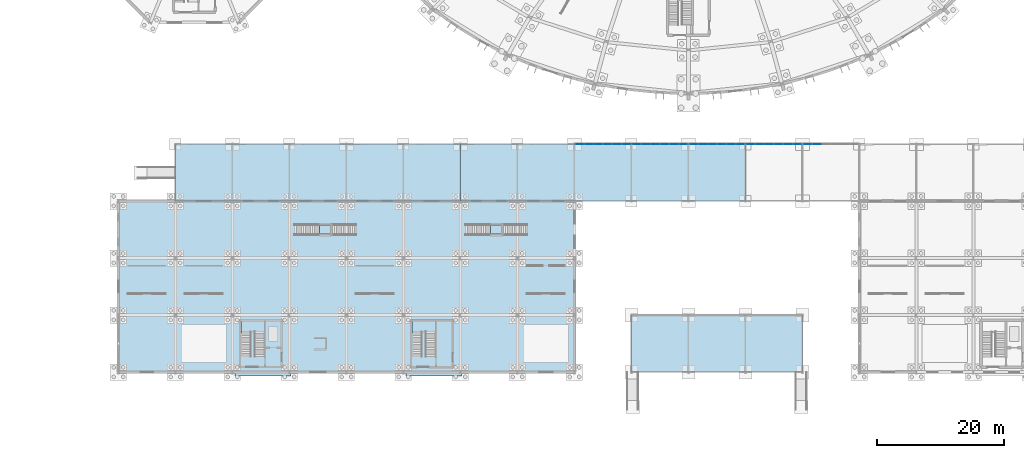
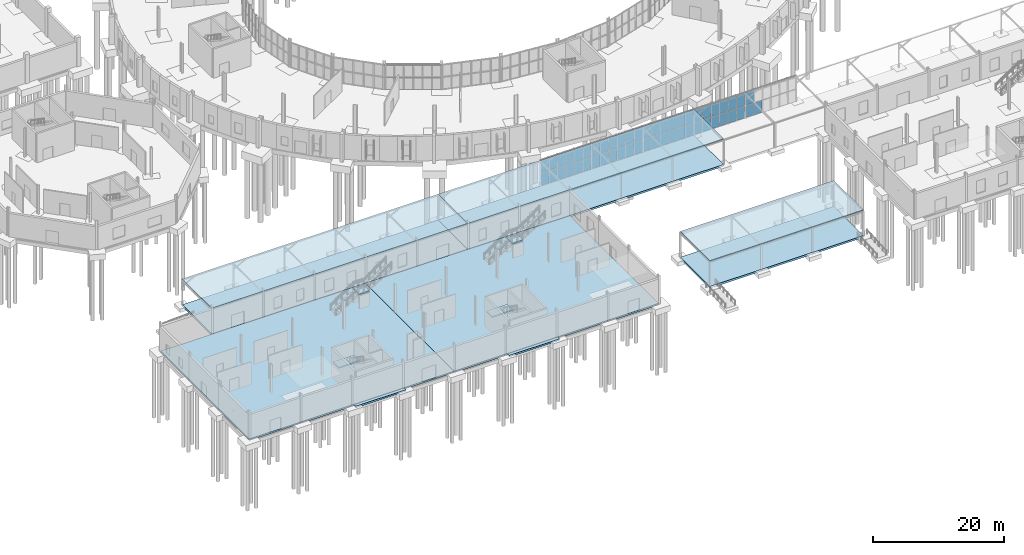
# One storey, part 69 of 118: 51 plates, 14 slabs, 9 elements without a shape of their own.
"""IFC4 building model written with IfcOpenShell, lengths in metres."""

from ifc_helpers import new_model, si_unit, direction, frame, origin, origin_2d, place, context, subcontext, project, spatial, polyline, rectangle, outline, extrude, material, layer, layer_set, type_object, element, aggregate, save


model = new_model("IFC4")

# Units and contexts
model_context = context("Model", 3, precision=1e-05, world=origin(), true_north=direction((0.0, 1.0)))
body_context = subcontext(model_context, "Body", "Model", "MODEL_VIEW")
ifc_project = project(units=[si_unit("LENGTHUNIT", "METRE"), si_unit("AREAUNIT", "SQUARE_METRE"), si_unit("VOLUMEUNIT", "CUBIC_METRE"), si_unit("PLANEANGLEUNIT", "RADIAN"), si_unit("MASSUNIT", "GRAM", prefix="KILO")], contexts=[model_context])

# Site, building, storey
site_placement = place(None, origin())
site = spatial("IfcSite", under=ifc_project, at=site_placement, CompositionType="ELEMENT")
building_placement = place(site_placement, origin())
building = spatial("IfcBuilding", under=site, at=building_placement, Name="Kildeholm Park Wholesale Market", CompositionType="ELEMENT")
storey_placement = place(building_placement, origin())
storey = spatial("IfcBuildingStorey", under=building, at=storey_placement, Name="L00", CompositionType="ELEMENT", Elevation=0.0)

# Curtain wall, plates
ifc_material_1 = material(Name="Anodised aluminium and low-E double-glazed glass", Category="aluminium")
curtain_wall_type = type_object("IfcCurtainWallType", Name="Public passage glazed screen CW-04", PredefinedType="NOTDEFINED", material=ifc_material_1)
curtain_wall_1_placement = place(storey_placement, origin())
curtain_wall_1 = element("IfcCurtainWall", 1, at=curtain_wall_1_placement, inside=storey, type_object=curtain_wall_type, Name="Curtain wall CW-V6-GC-01 CW-0159", PredefinedType="NOTDEFINED")
ifc_material_2 = material(Name="Double-glazed low-E insulated glass", Category="glass")
ifc_layer_1 = layer(ifc_material_2, 0.028076171875)
ifc_layer_set_1 = layer_set([ifc_layer_1], Name="Double-glazed low-E insulated glass")
plate_type = type_object("IfcPlateType", Name="Curtain-wall panel CWP-1 28 mm", PredefinedType="CURTAIN_PANEL", material=ifc_layer_set_1)
plate_1_placement = place(storey_placement, frame((81.79833984375, 36.0, 0.06005859375), z_axis=(0.0, 0.0, 1.0), x_axis=(1.0, 0.0, 0.0)))
plate_1 = element("IfcPlate", 2, at=plate_1_placement, type_object=plate_type, Name="CW-04 panel 1.1 PLT-2316", PredefinedType="CURTAIN_PANEL", context=body_context, shape_type="SweptSolid", body=[
    extrude(rectangle(XDim=1.396728515625, YDim=0.028076171875, at=origin_2d()), origin(), (0.0, 0.0, 1.0), 2.284912109375),
])
plate_2_placement = place(storey_placement, frame((81.79833984375, 36.0, 2.4052734375), z_axis=(0.0, 0.0, 1.0), x_axis=(1.0, 0.0, 0.0)))
plate_2 = element("IfcPlate", 3, at=plate_2_placement, type_object=plate_type, Name="CW-04 panel 1.2 PLT-2317", PredefinedType="CURTAIN_PANEL", context=body_context, shape_type="SweptSolid", body=[
    extrude(rectangle(XDim=1.396728515625, YDim=0.028076171875, at=origin_2d()), origin(), (0.0, 0.0, 1.0), 2.284912109375),
])
plate_3_placement = place(storey_placement, frame((83.27001953125, 36.0, 0.06005859375), z_axis=(0.0, 0.0, 1.0), x_axis=(1.0, 0.0, 0.0)))
plate_3 = element("IfcPlate", 4, at=plate_3_placement, type_object=plate_type, Name="CW-04 panel 2.1 PLT-2318", PredefinedType="CURTAIN_PANEL", context=body_context, shape_type="SweptSolid", body=[
    extrude(rectangle(XDim=1.4267578125, YDim=0.028076171875, at=origin_2d()), origin(), (0.0, 0.0, 1.0), 2.284912109375),
])
plate_4_placement = place(storey_placement, frame((83.27001953125, 36.0, 2.4052734375), z_axis=(0.0, 0.0, 1.0), x_axis=(1.0, 0.0, 0.0)))
plate_4 = element("IfcPlate", 5, at=plate_4_placement, type_object=plate_type, Name="CW-04 panel 2.2 PLT-2319", PredefinedType="CURTAIN_PANEL", context=body_context, shape_type="SweptSolid", body=[
    extrude(rectangle(XDim=1.4267578125, YDim=0.028076171875, at=origin_2d()), origin(), (0.0, 0.0, 1.0), 2.284912109375),
])
plate_5_placement = place(storey_placement, frame((84.756591796875, 36.0, 0.06005859375), z_axis=(0.0, 0.0, 1.0), x_axis=(1.0, 0.0, 0.0)))
plate_5 = element("IfcPlate", 6, at=plate_5_placement, type_object=plate_type, Name="CW-04 panel 3.1 PLT-2320", PredefinedType="CURTAIN_PANEL", context=body_context, shape_type="SweptSolid", body=[
    extrude(rectangle(XDim=1.4267578125, YDim=0.028076171875, at=origin_2d()), origin(), (0.0, 0.0, 1.0), 2.284912109375),
])
plate_6_placement = place(storey_placement, frame((84.756591796875, 36.0, 2.4052734375), z_axis=(0.0, 0.0, 1.0), x_axis=(1.0, 0.0, 0.0)))
plate_6 = element("IfcPlate", 7, at=plate_6_placement, type_object=plate_type, Name="CW-04 panel 3.2 PLT-2321", PredefinedType="CURTAIN_PANEL", context=body_context, shape_type="SweptSolid", body=[
    extrude(rectangle(XDim=1.4267578125, YDim=0.028076171875, at=origin_2d()), origin(), (0.0, 0.0, 1.0), 2.284912109375),
])
plate_7_placement = place(storey_placement, frame((86.243408203125, 36.0, 0.06005859375), z_axis=(0.0, 0.0, 1.0), x_axis=(1.0, 0.0, 0.0)))
plate_7 = element("IfcPlate", 8, at=plate_7_placement, type_object=plate_type, Name="CW-04 panel 4.1 PLT-2322", PredefinedType="CURTAIN_PANEL", context=body_context, shape_type="SweptSolid", body=[
    extrude(rectangle(XDim=1.4267578125, YDim=0.028076171875, at=origin_2d()), origin(), (0.0, 0.0, 1.0), 2.284912109375),
])
plate_8_placement = place(storey_placement, frame((86.243408203125, 36.0, 2.4052734375), z_axis=(0.0, 0.0, 1.0), x_axis=(1.0, 0.0, 0.0)))
plate_8 = element("IfcPlate", 9, at=plate_8_placement, type_object=plate_type, Name="CW-04 panel 4.2 PLT-2323", PredefinedType="CURTAIN_PANEL", context=body_context, shape_type="SweptSolid", body=[
    extrude(rectangle(XDim=1.4267578125, YDim=0.028076171875, at=origin_2d()), origin(), (0.0, 0.0, 1.0), 2.284912109375),
])
plate_9_placement = place(storey_placement, frame((87.72998046875, 36.0, 0.06005859375), z_axis=(0.0, 0.0, 1.0), x_axis=(1.0, 0.0, 0.0)))
plate_9 = element("IfcPlate", 10, at=plate_9_placement, type_object=plate_type, Name="CW-04 panel 5.1 PLT-2324", PredefinedType="CURTAIN_PANEL", context=body_context, shape_type="SweptSolid", body=[
    extrude(rectangle(XDim=1.4267578125, YDim=0.028076171875, at=origin_2d()), origin(), (0.0, 0.0, 1.0), 2.284912109375),
])
plate_10_placement = place(storey_placement, frame((87.72998046875, 36.0, 2.4052734375), z_axis=(0.0, 0.0, 1.0), x_axis=(1.0, 0.0, 0.0)))
plate_10 = element("IfcPlate", 11, at=plate_10_placement, type_object=plate_type, Name="CW-04 panel 5.2 PLT-2325", PredefinedType="CURTAIN_PANEL", context=body_context, shape_type="SweptSolid", body=[
    extrude(rectangle(XDim=1.4267578125, YDim=0.028076171875, at=origin_2d()), origin(), (0.0, 0.0, 1.0), 2.284912109375),
])
plate_11_placement = place(storey_placement, frame((89.20166015625, 36.0, 0.06005859375), z_axis=(0.0, 0.0, 1.0), x_axis=(1.0, 0.0, 0.0)))
plate_11 = element("IfcPlate", 12, at=plate_11_placement, type_object=plate_type, Name="CW-04 panel 6.1 PLT-2326", PredefinedType="CURTAIN_PANEL", context=body_context, shape_type="SweptSolid", body=[
    extrude(rectangle(XDim=1.396728515625, YDim=0.028076171875, at=origin_2d()), origin(), (0.0, 0.0, 1.0), 2.284912109375),
])
plate_12_placement = place(storey_placement, frame((89.20166015625, 36.0, 2.4052734375), z_axis=(0.0, 0.0, 1.0), x_axis=(1.0, 0.0, 0.0)))
plate_12 = element("IfcPlate", 13, at=plate_12_placement, type_object=plate_type, Name="CW-04 panel 6.2 PLT-2327", PredefinedType="CURTAIN_PANEL", context=body_context, shape_type="SweptSolid", body=[
    extrude(rectangle(XDim=1.396728515625, YDim=0.028076171875, at=origin_2d()), origin(), (0.0, 0.0, 1.0), 2.284912109375),
])
aggregate(curtain_wall_1, [plate_1, plate_2, plate_3, plate_4, plate_5, plate_6, plate_7, plate_8, plate_9, plate_10, plate_11, plate_12])

curtain_wall_2_placement = place(storey_placement, origin())
curtain_wall_2 = element("IfcCurtainWall", 14, at=curtain_wall_2_placement, inside=storey, type_object=curtain_wall_type, Name="Curtain wall CW-V6-GC-02 CW-0160", PredefinedType="NOTDEFINED")
plate_13_placement = place(storey_placement, frame((90.79833984375, 36.0, 0.06005859375), z_axis=(0.0, 0.0, 1.0), x_axis=(1.0, 0.0, 0.0)))
plate_13 = element("IfcPlate", 15, at=plate_13_placement, type_object=plate_type, Name="CW-04 panel 1.1 PLT-2328", PredefinedType="CURTAIN_PANEL", context=body_context, shape_type="SweptSolid", body=[
    extrude(rectangle(XDim=1.396728515625, YDim=0.028076171875, at=origin_2d()), origin(), (0.0, 0.0, 1.0), 2.284912109375),
])
plate_14_placement = place(storey_placement, frame((90.79833984375, 36.0, 2.4052734375), z_axis=(0.0, 0.0, 1.0), x_axis=(1.0, 0.0, 0.0)))
plate_14 = element("IfcPlate", 16, at=plate_14_placement, type_object=plate_type, Name="CW-04 panel 1.2 PLT-2329", PredefinedType="CURTAIN_PANEL", context=body_context, shape_type="SweptSolid", body=[
    extrude(rectangle(XDim=1.396728515625, YDim=0.028076171875, at=origin_2d()), origin(), (0.0, 0.0, 1.0), 2.284912109375),
])
plate_15_placement = place(storey_placement, frame((92.27001953125, 36.0, 0.06005859375), z_axis=(0.0, 0.0, 1.0), x_axis=(1.0, 0.0, 0.0)))
plate_15 = element("IfcPlate", 17, at=plate_15_placement, type_object=plate_type, Name="CW-04 panel 2.1 PLT-2330", PredefinedType="CURTAIN_PANEL", context=body_context, shape_type="SweptSolid", body=[
    extrude(rectangle(XDim=1.4267578125, YDim=0.028076171875, at=origin_2d()), origin(), (0.0, 0.0, 1.0), 2.284912109375),
])
plate_16_placement = place(storey_placement, frame((92.27001953125, 36.0, 2.4052734375), z_axis=(0.0, 0.0, 1.0), x_axis=(1.0, 0.0, 0.0)))
plate_16 = element("IfcPlate", 18, at=plate_16_placement, type_object=plate_type, Name="CW-04 panel 2.2 PLT-2331", PredefinedType="CURTAIN_PANEL", context=body_context, shape_type="SweptSolid", body=[
    extrude(rectangle(XDim=1.4267578125, YDim=0.028076171875, at=origin_2d()), origin(), (0.0, 0.0, 1.0), 2.284912109375),
])
plate_17_placement = place(storey_placement, frame((93.756591796875, 36.0, 0.06005859375), z_axis=(0.0, 0.0, 1.0), x_axis=(1.0, 0.0, 0.0)))
plate_17 = element("IfcPlate", 19, at=plate_17_placement, type_object=plate_type, Name="CW-04 panel 3.1 PLT-2332", PredefinedType="CURTAIN_PANEL", context=body_context, shape_type="SweptSolid", body=[
    extrude(rectangle(XDim=1.4267578125, YDim=0.028076171875, at=origin_2d()), origin(), (0.0, 0.0, 1.0), 2.284912109375),
])
plate_18_placement = place(storey_placement, frame((93.756591796875, 36.0, 2.4052734375), z_axis=(0.0, 0.0, 1.0), x_axis=(1.0, 0.0, 0.0)))
plate_18 = element("IfcPlate", 20, at=plate_18_placement, type_object=plate_type, Name="CW-04 panel 3.2 PLT-2333", PredefinedType="CURTAIN_PANEL", context=body_context, shape_type="SweptSolid", body=[
    extrude(rectangle(XDim=1.4267578125, YDim=0.028076171875, at=origin_2d()), origin(), (0.0, 0.0, 1.0), 2.284912109375),
])
plate_19_placement = place(storey_placement, frame((95.243408203125, 36.0, 0.06005859375), z_axis=(0.0, 0.0, 1.0), x_axis=(1.0, 0.0, 0.0)))
plate_19 = element("IfcPlate", 21, at=plate_19_placement, type_object=plate_type, Name="CW-04 panel 4.1 PLT-2334", PredefinedType="CURTAIN_PANEL", context=body_context, shape_type="SweptSolid", body=[
    extrude(rectangle(XDim=1.4267578125, YDim=0.028076171875, at=origin_2d()), origin(), (0.0, 0.0, 1.0), 2.284912109375),
])
plate_20_placement = place(storey_placement, frame((95.243408203125, 36.0, 2.4052734375), z_axis=(0.0, 0.0, 1.0), x_axis=(1.0, 0.0, 0.0)))
plate_20 = element("IfcPlate", 22, at=plate_20_placement, type_object=plate_type, Name="CW-04 panel 4.2 PLT-2335", PredefinedType="CURTAIN_PANEL", context=body_context, shape_type="SweptSolid", body=[
    extrude(rectangle(XDim=1.4267578125, YDim=0.028076171875, at=origin_2d()), origin(), (0.0, 0.0, 1.0), 2.284912109375),
])
plate_21_placement = place(storey_placement, frame((96.72998046875, 36.0, 0.06005859375), z_axis=(0.0, 0.0, 1.0), x_axis=(1.0, 0.0, 0.0)))
plate_21 = element("IfcPlate", 23, at=plate_21_placement, type_object=plate_type, Name="CW-04 panel 5.1 PLT-2336", PredefinedType="CURTAIN_PANEL", context=body_context, shape_type="SweptSolid", body=[
    extrude(rectangle(XDim=1.4267578125, YDim=0.028076171875, at=origin_2d()), origin(), (0.0, 0.0, 1.0), 2.284912109375),
])
plate_22_placement = place(storey_placement, frame((96.72998046875, 36.0, 2.4052734375), z_axis=(0.0, 0.0, 1.0), x_axis=(1.0, 0.0, 0.0)))
plate_22 = element("IfcPlate", 24, at=plate_22_placement, type_object=plate_type, Name="CW-04 panel 5.2 PLT-2337", PredefinedType="CURTAIN_PANEL", context=body_context, shape_type="SweptSolid", body=[
    extrude(rectangle(XDim=1.4267578125, YDim=0.028076171875, at=origin_2d()), origin(), (0.0, 0.0, 1.0), 2.284912109375),
])
plate_23_placement = place(storey_placement, frame((98.20166015625, 36.0, 0.06005859375), z_axis=(0.0, 0.0, 1.0), x_axis=(1.0, 0.0, 0.0)))
plate_23 = element("IfcPlate", 25, at=plate_23_placement, type_object=plate_type, Name="CW-04 panel 6.1 PLT-2338", PredefinedType="CURTAIN_PANEL", context=body_context, shape_type="SweptSolid", body=[
    extrude(rectangle(XDim=1.396728515625, YDim=0.028076171875, at=origin_2d()), origin(), (0.0, 0.0, 1.0), 2.284912109375),
])
plate_24_placement = place(storey_placement, frame((98.20166015625, 36.0, 2.4052734375), z_axis=(0.0, 0.0, 1.0), x_axis=(1.0, 0.0, 0.0)))
plate_24 = element("IfcPlate", 26, at=plate_24_placement, type_object=plate_type, Name="CW-04 panel 6.2 PLT-2339", PredefinedType="CURTAIN_PANEL", context=body_context, shape_type="SweptSolid", body=[
    extrude(rectangle(XDim=1.396728515625, YDim=0.028076171875, at=origin_2d()), origin(), (0.0, 0.0, 1.0), 2.284912109375),
])
aggregate(curtain_wall_2, [plate_13, plate_14, plate_15, plate_16, plate_17, plate_18, plate_19, plate_20, plate_21, plate_22, plate_23, plate_24])

curtain_wall_3_placement = place(storey_placement, origin())
curtain_wall_3 = element("IfcCurtainWall", 27, at=curtain_wall_3_placement, inside=storey, type_object=curtain_wall_type, Name="Curtain wall CW-V6-GC-03 CW-0161", PredefinedType="NOTDEFINED")
plate_25_placement = place(storey_placement, frame((99.79833984375, 36.0, 0.06005859375), z_axis=(0.0, 0.0, 1.0), x_axis=(1.0, 0.0, 0.0)))
plate_25 = element("IfcPlate", 28, at=plate_25_placement, type_object=plate_type, Name="CW-04 panel 1.1 PLT-2340", PredefinedType="CURTAIN_PANEL", context=body_context, shape_type="SweptSolid", body=[
    extrude(rectangle(XDim=1.396728515625, YDim=0.028076171875, at=origin_2d()), origin(), (0.0, 0.0, 1.0), 2.284912109375),
])
plate_26_placement = place(storey_placement, frame((99.79833984375, 36.0, 2.4052734375), z_axis=(0.0, 0.0, 1.0), x_axis=(1.0, 0.0, 0.0)))
plate_26 = element("IfcPlate", 29, at=plate_26_placement, type_object=plate_type, Name="CW-04 panel 1.2 PLT-2341", PredefinedType="CURTAIN_PANEL", context=body_context, shape_type="SweptSolid", body=[
    extrude(rectangle(XDim=1.396728515625, YDim=0.028076171875, at=origin_2d()), origin(), (0.0, 0.0, 1.0), 2.284912109375),
])
plate_27_placement = place(storey_placement, frame((101.27001953125, 36.0, 0.06005859375), z_axis=(0.0, 0.0, 1.0), x_axis=(1.0, 0.0, 0.0)))
plate_27 = element("IfcPlate", 30, at=plate_27_placement, type_object=plate_type, Name="CW-04 panel 2.1 PLT-2342", PredefinedType="CURTAIN_PANEL", context=body_context, shape_type="SweptSolid", body=[
    extrude(rectangle(XDim=1.4267578125, YDim=0.028076171875, at=origin_2d()), origin(), (0.0, 0.0, 1.0), 2.284912109375),
])
plate_28_placement = place(storey_placement, frame((101.27001953125, 36.0, 2.4052734375), z_axis=(0.0, 0.0, 1.0), x_axis=(1.0, 0.0, 0.0)))
plate_28 = element("IfcPlate", 31, at=plate_28_placement, type_object=plate_type, Name="CW-04 panel 2.2 PLT-2343", PredefinedType="CURTAIN_PANEL", context=body_context, shape_type="SweptSolid", body=[
    extrude(rectangle(XDim=1.4267578125, YDim=0.028076171875, at=origin_2d()), origin(), (0.0, 0.0, 1.0), 2.284912109375),
])
plate_29_placement = place(storey_placement, frame((102.756591796875, 36.0, 0.06005859375), z_axis=(0.0, 0.0, 1.0), x_axis=(1.0, 0.0, 0.0)))
plate_29 = element("IfcPlate", 32, at=plate_29_placement, type_object=plate_type, Name="CW-04 panel 3.1 PLT-2344", PredefinedType="CURTAIN_PANEL", context=body_context, shape_type="SweptSolid", body=[
    extrude(rectangle(XDim=1.4267578125, YDim=0.028076171875, at=origin_2d()), origin(), (0.0, 0.0, 1.0), 2.284912109375),
])
plate_30_placement = place(storey_placement, frame((102.756591796875, 36.0, 2.4052734375), z_axis=(0.0, 0.0, 1.0), x_axis=(1.0, 0.0, 0.0)))
plate_30 = element("IfcPlate", 33, at=plate_30_placement, type_object=plate_type, Name="CW-04 panel 3.2 PLT-2345", PredefinedType="CURTAIN_PANEL", context=body_context, shape_type="SweptSolid", body=[
    extrude(rectangle(XDim=1.4267578125, YDim=0.028076171875, at=origin_2d()), origin(), (0.0, 0.0, 1.0), 2.284912109375),
])
plate_31_placement = place(storey_placement, frame((104.243408203125, 36.0, 0.06005859375), z_axis=(0.0, 0.0, 1.0), x_axis=(1.0, 0.0, 0.0)))
plate_31 = element("IfcPlate", 34, at=plate_31_placement, type_object=plate_type, Name="CW-04 panel 4.1 PLT-2346", PredefinedType="CURTAIN_PANEL", context=body_context, shape_type="SweptSolid", body=[
    extrude(rectangle(XDim=1.4267578125, YDim=0.028076171875, at=origin_2d()), origin(), (0.0, 0.0, 1.0), 2.284912109375),
])
plate_32_placement = place(storey_placement, frame((104.243408203125, 36.0, 2.4052734375), z_axis=(0.0, 0.0, 1.0), x_axis=(1.0, 0.0, 0.0)))
plate_32 = element("IfcPlate", 35, at=plate_32_placement, type_object=plate_type, Name="CW-04 panel 4.2 PLT-2347", PredefinedType="CURTAIN_PANEL", context=body_context, shape_type="SweptSolid", body=[
    extrude(rectangle(XDim=1.4267578125, YDim=0.028076171875, at=origin_2d()), origin(), (0.0, 0.0, 1.0), 2.284912109375),
])
plate_33_placement = place(storey_placement, frame((105.72998046875, 36.0, 0.06005859375), z_axis=(0.0, 0.0, 1.0), x_axis=(1.0, 0.0, 0.0)))
plate_33 = element("IfcPlate", 36, at=plate_33_placement, type_object=plate_type, Name="CW-04 panel 5.1 PLT-2348", PredefinedType="CURTAIN_PANEL", context=body_context, shape_type="SweptSolid", body=[
    extrude(rectangle(XDim=1.4267578125, YDim=0.028076171875, at=origin_2d()), origin(), (0.0, 0.0, 1.0), 2.284912109375),
])
plate_34_placement = place(storey_placement, frame((105.72998046875, 36.0, 2.4052734375), z_axis=(0.0, 0.0, 1.0), x_axis=(1.0, 0.0, 0.0)))
plate_34 = element("IfcPlate", 37, at=plate_34_placement, type_object=plate_type, Name="CW-04 panel 5.2 PLT-2349", PredefinedType="CURTAIN_PANEL", context=body_context, shape_type="SweptSolid", body=[
    extrude(rectangle(XDim=1.4267578125, YDim=0.028076171875, at=origin_2d()), origin(), (0.0, 0.0, 1.0), 2.284912109375),
])
plate_35_placement = place(storey_placement, frame((107.20166015625, 36.0, 0.06005859375), z_axis=(0.0, 0.0, 1.0), x_axis=(1.0, 0.0, 0.0)))
plate_35 = element("IfcPlate", 38, at=plate_35_placement, type_object=plate_type, Name="CW-04 panel 6.1 PLT-2350", PredefinedType="CURTAIN_PANEL", context=body_context, shape_type="SweptSolid", body=[
    extrude(rectangle(XDim=1.396728515625, YDim=0.028076171875, at=origin_2d()), origin(), (0.0, 0.0, 1.0), 2.284912109375),
])
plate_36_placement = place(storey_placement, frame((107.20166015625, 36.0, 2.4052734375), z_axis=(0.0, 0.0, 1.0), x_axis=(1.0, 0.0, 0.0)))
plate_36 = element("IfcPlate", 39, at=plate_36_placement, type_object=plate_type, Name="CW-04 panel 6.2 PLT-2351", PredefinedType="CURTAIN_PANEL", context=body_context, shape_type="SweptSolid", body=[
    extrude(rectangle(XDim=1.396728515625, YDim=0.028076171875, at=origin_2d()), origin(), (0.0, 0.0, 1.0), 2.284912109375),
])
aggregate(curtain_wall_3, [plate_25, plate_26, plate_27, plate_28, plate_29, plate_30, plate_31, plate_32, plate_33, plate_34, plate_35, plate_36])

curtain_wall_4_placement = place(storey_placement, origin())
curtain_wall_4 = element("IfcCurtainWall", 40, at=curtain_wall_4_placement, inside=storey, type_object=curtain_wall_type, Name="Curtain wall CW-V6-GC-04 CW-0162", PredefinedType="NOTDEFINED")
plate_37_placement = place(storey_placement, frame((108.79833984375, 36.0, 0.06005859375), z_axis=(0.0, 0.0, 1.0), x_axis=(1.0, 0.0, 0.0)))
plate_37 = element("IfcPlate", 41, at=plate_37_placement, type_object=plate_type, Name="CW-04 panel 1.1 PLT-2352", PredefinedType="CURTAIN_PANEL", context=body_context, shape_type="SweptSolid", body=[
    extrude(rectangle(XDim=1.396728515625, YDim=0.028076171875, at=origin_2d()), origin(), (0.0, 0.0, 1.0), 2.284912109375),
])
plate_38_placement = place(storey_placement, frame((108.79833984375, 36.0, 2.4052734375), z_axis=(0.0, 0.0, 1.0), x_axis=(1.0, 0.0, 0.0)))
plate_38 = element("IfcPlate", 42, at=plate_38_placement, type_object=plate_type, Name="CW-04 panel 1.2 PLT-2353", PredefinedType="CURTAIN_PANEL", context=body_context, shape_type="SweptSolid", body=[
    extrude(rectangle(XDim=1.396728515625, YDim=0.028076171875, at=origin_2d()), origin(), (0.0, 0.0, 1.0), 2.284912109375),
])
plate_39_placement = place(storey_placement, frame((110.27001953125, 36.0, 0.06005859375), z_axis=(0.0, 0.0, 1.0), x_axis=(1.0, 0.0, 0.0)))
plate_39 = element("IfcPlate", 43, at=plate_39_placement, type_object=plate_type, Name="CW-04 panel 2.1 PLT-2354", PredefinedType="CURTAIN_PANEL", context=body_context, shape_type="SweptSolid", body=[
    extrude(rectangle(XDim=1.4267578125, YDim=0.028076171875, at=origin_2d()), origin(), (0.0, 0.0, 1.0), 2.284912109375),
])
plate_40_placement = place(storey_placement, frame((110.27001953125, 36.0, 2.4052734375), z_axis=(0.0, 0.0, 1.0), x_axis=(1.0, 0.0, 0.0)))
plate_40 = element("IfcPlate", 44, at=plate_40_placement, type_object=plate_type, Name="CW-04 panel 2.2 PLT-2355", PredefinedType="CURTAIN_PANEL", context=body_context, shape_type="SweptSolid", body=[
    extrude(rectangle(XDim=1.4267578125, YDim=0.028076171875, at=origin_2d()), origin(), (0.0, 0.0, 1.0), 2.284912109375),
])
plate_41_placement = place(storey_placement, frame((111.756591796875, 36.0, 0.06005859375), z_axis=(0.0, 0.0, 1.0), x_axis=(1.0, 0.0, 0.0)))
plate_41 = element("IfcPlate", 45, at=plate_41_placement, type_object=plate_type, Name="CW-04 panel 3.1 PLT-2356", PredefinedType="CURTAIN_PANEL", context=body_context, shape_type="SweptSolid", body=[
    extrude(rectangle(XDim=1.4267578125, YDim=0.028076171875, at=origin_2d()), origin(), (0.0, 0.0, 1.0), 2.284912109375),
])
plate_42_placement = place(storey_placement, frame((111.756591796875, 36.0, 2.4052734375), z_axis=(0.0, 0.0, 1.0), x_axis=(1.0, 0.0, 0.0)))
plate_42 = element("IfcPlate", 46, at=plate_42_placement, type_object=plate_type, Name="CW-04 panel 3.2 PLT-2357", PredefinedType="CURTAIN_PANEL", context=body_context, shape_type="SweptSolid", body=[
    extrude(rectangle(XDim=1.4267578125, YDim=0.028076171875, at=origin_2d()), origin(), (0.0, 0.0, 1.0), 2.284912109375),
])
plate_43_placement = place(storey_placement, frame((113.243408203125, 36.0, 0.06005859375), z_axis=(0.0, 0.0, 1.0), x_axis=(1.0, 0.0, 0.0)))
plate_43 = element("IfcPlate", 47, at=plate_43_placement, type_object=plate_type, Name="CW-04 panel 4.1 PLT-2358", PredefinedType="CURTAIN_PANEL", context=body_context, shape_type="SweptSolid", body=[
    extrude(rectangle(XDim=1.4267578125, YDim=0.028076171875, at=origin_2d()), origin(), (0.0, 0.0, 1.0), 2.284912109375),
])
plate_44_placement = place(storey_placement, frame((113.243408203125, 36.0, 2.4052734375), z_axis=(0.0, 0.0, 1.0), x_axis=(1.0, 0.0, 0.0)))
plate_44 = element("IfcPlate", 48, at=plate_44_placement, type_object=plate_type, Name="CW-04 panel 4.2 PLT-2359", PredefinedType="CURTAIN_PANEL", context=body_context, shape_type="SweptSolid", body=[
    extrude(rectangle(XDim=1.4267578125, YDim=0.028076171875, at=origin_2d()), origin(), (0.0, 0.0, 1.0), 2.284912109375),
])
plate_45_placement = place(storey_placement, frame((114.72998046875, 36.0, 0.06005859375), z_axis=(0.0, 0.0, 1.0), x_axis=(1.0, 0.0, 0.0)))
plate_45 = element("IfcPlate", 49, at=plate_45_placement, type_object=plate_type, Name="CW-04 panel 5.1 PLT-2360", PredefinedType="CURTAIN_PANEL", context=body_context, shape_type="SweptSolid", body=[
    extrude(rectangle(XDim=1.4267578125, YDim=0.028076171875, at=origin_2d()), origin(), (0.0, 0.0, 1.0), 2.284912109375),
])
plate_46_placement = place(storey_placement, frame((114.72998046875, 36.0, 2.4052734375), z_axis=(0.0, 0.0, 1.0), x_axis=(1.0, 0.0, 0.0)))
plate_46 = element("IfcPlate", 50, at=plate_46_placement, type_object=plate_type, Name="CW-04 panel 5.2 PLT-2361", PredefinedType="CURTAIN_PANEL", context=body_context, shape_type="SweptSolid", body=[
    extrude(rectangle(XDim=1.4267578125, YDim=0.028076171875, at=origin_2d()), origin(), (0.0, 0.0, 1.0), 2.284912109375),
])
plate_47_placement = place(storey_placement, frame((116.20166015625, 36.0, 0.06005859375), z_axis=(0.0, 0.0, 1.0), x_axis=(1.0, 0.0, 0.0)))
plate_47 = element("IfcPlate", 51, at=plate_47_placement, type_object=plate_type, Name="CW-04 panel 6.1 PLT-2362", PredefinedType="CURTAIN_PANEL", context=body_context, shape_type="SweptSolid", body=[
    extrude(rectangle(XDim=1.396728515625, YDim=0.028076171875, at=origin_2d()), origin(), (0.0, 0.0, 1.0), 2.284912109375),
])
plate_48_placement = place(storey_placement, frame((116.20166015625, 36.0, 2.4052734375), z_axis=(0.0, 0.0, 1.0), x_axis=(1.0, 0.0, 0.0)))
plate_48 = element("IfcPlate", 52, at=plate_48_placement, type_object=plate_type, Name="CW-04 panel 6.2 PLT-2363", PredefinedType="CURTAIN_PANEL", context=body_context, shape_type="SweptSolid", body=[
    extrude(rectangle(XDim=1.396728515625, YDim=0.028076171875, at=origin_2d()), origin(), (0.0, 0.0, 1.0), 2.284912109375),
])
aggregate(curtain_wall_4, [plate_37, plate_38, plate_39, plate_40, plate_41, plate_42, plate_43, plate_44, plate_45, plate_46, plate_47, plate_48])

curtain_wall_5_placement = place(storey_placement, origin())
curtain_wall_5 = element("IfcCurtainWall", 53, at=curtain_wall_5_placement, inside=storey, type_object=curtain_wall_type, Name="Curtain wall CW-V6-GC-05 CW-0163", PredefinedType="NOTDEFINED")
plate_49_placement = place(storey_placement, frame((117.79833984375, 36.0, 0.06005859375), z_axis=(0.0, 0.0, 1.0), x_axis=(1.0, 0.0, 0.0)))
plate_49 = element("IfcPlate", 54, at=plate_49_placement, type_object=plate_type, Name="CW-04 panel 1.1 PLT-2364", PredefinedType="CURTAIN_PANEL", context=body_context, shape_type="SweptSolid", body=[
    extrude(rectangle(XDim=1.396728515625, YDim=0.028076171875, at=origin_2d()), origin(), (0.0, 0.0, 1.0), 2.284912109375),
])
plate_50_placement = place(storey_placement, frame((117.79833984375, 36.0, 2.4052734375), z_axis=(0.0, 0.0, 1.0), x_axis=(1.0, 0.0, 0.0)))
plate_50 = element("IfcPlate", 55, at=plate_50_placement, type_object=plate_type, Name="CW-04 panel 1.2 PLT-2365", PredefinedType="CURTAIN_PANEL", context=body_context, shape_type="SweptSolid", body=[
    extrude(rectangle(XDim=1.396728515625, YDim=0.028076171875, at=origin_2d()), origin(), (0.0, 0.0, 1.0), 2.284912109375),
])
plate_51_placement = place(storey_placement, frame((119.27001953125, 36.0, 0.06005859375), z_axis=(0.0, 0.0, 1.0), x_axis=(1.0, 0.0, 0.0)))
plate_51 = element("IfcPlate", 56, at=plate_51_placement, type_object=plate_type, Name="CW-04 panel 2.1 PLT-2366", PredefinedType="CURTAIN_PANEL", context=body_context, shape_type="SweptSolid", body=[
    extrude(rectangle(XDim=1.4267578125, YDim=0.028076171875, at=origin_2d()), origin(), (0.0, 0.0, 1.0), 2.284912109375),
])
aggregate(curtain_wall_5, [plate_49, plate_50, plate_51])

# Slabs
ifc_material_3 = material(Name="Concrete C40/50", Category="concrete")
ifc_layer_2 = layer(ifc_material_3, 0.35009765625)
ifc_layer_set_2 = layer_set([ifc_layer_2], Name="Concrete C40/50")
slab_type_1 = type_object("IfcSlabType", Name="Slab S-AP1 350 mm", PredefinedType="BASESLAB", material=ifc_layer_set_2)
slab_1_placement = place(storey_placement, frame((0.0, 0.0, -0.35009765625)))
element("IfcSlab", 57, at=slab_1_placement, inside=storey, type_object=slab_type_1, Name="Covered public passage paving slab 1 SLB-0394", PredefinedType="BASESLAB", context=body_context, shape_type="SweptSolid", body=[
    extrude(outline(polyline([(18.0, 27.0), (63.0, 27.0), (63.0, 36.0), (18.0, 36.0), (18.0, 27.0)])), origin(), (0.0, 0.0, 1.0), 0.35009765625),
])
slab_2_placement = place(storey_placement, frame((0.0, 0.0, -0.35009765625)))
element("IfcSlab", 58, at=slab_2_placement, inside=storey, type_object=slab_type_1, Name="Covered public passage paving slab 2 SLB-0396", PredefinedType="BASESLAB", context=body_context, shape_type="SweptSolid", body=[
    extrude(outline(polyline([(63.0, 27.0), (108.0, 27.0), (108.0, 36.0), (63.0, 36.0), (63.0, 27.0)])), origin(), (0.0, 0.0, 1.0), 0.35009765625),
])
slab_3_placement = place(storey_placement, frame((0.0, 0.0, -0.35009765625)))
element("IfcSlab", 59, at=slab_3_placement, inside=storey, type_object=slab_type_1, Name="Park forecourt entrance threshold slab SLB-0402", PredefinedType="BASESLAB", context=body_context, shape_type="SweptSolid", body=[
    extrude(outline(polyline([(90.0, 0.0), (117.0, 0.0), (117.0, 9.0), (90.0, 9.0), (90.0, 0.0)])), origin(), (0.0, 0.0, 1.0), 0.35009765625),
])
ifc_material_4 = material(Name="Concrete C35/45", Category="concrete")
ifc_layer_3 = layer(ifc_material_4, 0.300048828125)
ifc_layer_set_3 = layer_set([ifc_layer_3], Name="Concrete C35/45")
slab_type_2 = type_object("IfcSlabType", Name="Slab S-BS1 300 mm", PredefinedType="BASESLAB", material=ifc_layer_set_3)
slab_4_placement = place(storey_placement, frame((0.0, 0.0, -0.300048828125)))
element("IfcSlab", 60, at=slab_4_placement, inside=storey, type_object=slab_type_2, Name="V5W L00 slab M part 1 SLB-0366", PredefinedType="BASESLAB", context=body_context, shape_type="SweptSolid", body=[
    extrude(outline(polyline([(9.0, 0.0), (45.0, 0.0), (45.0, 27.0), (9.0, 27.0), (9.0, 0.0)])), origin(), (0.0, 0.0, 1.0), 0.300048828125),
])
slab_5_placement = place(storey_placement, frame((0.0, 0.0, -0.300048828125)))
element("IfcSlab", 61, at=slab_5_placement, inside=storey, type_object=slab_type_2, Name="V5W L00 slab M part 2 SLB-0367", PredefinedType="BASESLAB", context=body_context, shape_type="SweptSolid", body=[
    extrude(outline(polyline([(45.0, 0.0), (81.0, 0.0), (81.0, 27.0), (45.0, 27.0), (45.0, 0.0)])), origin(), (0.0, 0.0, 1.0), 0.300048828125),
])
slab_6_placement = place(storey_placement, frame((0.0, 0.0, -0.300048828125)))
element("IfcSlab", 62, at=slab_6_placement, inside=storey, type_object=slab_type_2, Name="Core C04 ground base pad SLB-0419", PredefinedType="BASESLAB", context=body_context, shape_type="SweptSolid", body=[
    extrude(outline(polyline([(36.199951171875, -0.60009765625), (27.39990234375, -0.60009765625), (27.39990234375, -0.0048828125), (36.199951171875, -0.0048828125), (36.199951171875, -0.60009765625)])), origin(), (0.0, 0.0, 1.0), 0.300048828125),
])
slab_7_placement = place(storey_placement, frame((0.0, 0.0, -0.300048828125)))
element("IfcSlab", 63, at=slab_7_placement, inside=storey, type_object=slab_type_2, Name="Core C05 ground base pad SLB-0426", PredefinedType="BASESLAB", context=body_context, shape_type="SweptSolid", body=[
    extrude(outline(polyline([(63.199951171875, -0.60009765625), (54.39990234375, -0.60009765625), (54.39990234375, -0.0048828125), (63.199951171875, -0.0048828125), (63.199951171875, -0.60009765625)])), origin(), (0.0, 0.0, 1.0), 0.300048828125),
])
ifc_layer_4 = layer(ifc_material_4, 0.159912109375)
ifc_layer_set_4 = layer_set([ifc_layer_4], Name="Concrete C35/45")
slab_type_3 = type_object("IfcSlabType", Name="Slab S-CN1 160 mm", PredefinedType="ROOF", material=ifc_layer_set_4)
slab_8_placement = place(storey_placement, frame((0.0, 0.0, 4.639892578125)))
element("IfcSlab", 64, at=slab_8_placement, inside=storey, type_object=slab_type_3, Name="Covered public passage canopy roof 1 SLB-0395", PredefinedType="ROOF", context=body_context, shape_type="SweptSolid", body=[
    extrude(outline(polyline([(18.0, 27.0), (63.0, 27.0), (63.0, 36.0), (18.0, 36.0), (18.0, 27.0)])), origin(), (0.0, 0.0, 1.0), 0.16015625),
])
slab_9_placement = place(storey_placement, frame((0.0, 0.0, 4.639892578125)))
element("IfcSlab", 65, at=slab_9_placement, inside=storey, type_object=slab_type_3, Name="Covered public passage canopy roof 2 SLB-0397", PredefinedType="ROOF", context=body_context, shape_type="SweptSolid", body=[
    extrude(outline(polyline([(63.0, 27.0), (108.0, 27.0), (108.0, 36.0), (63.0, 36.0), (63.0, 27.0)])), origin(), (0.0, 0.0, 1.0), 0.16015625),
])
slab_10_placement = place(storey_placement, frame((0.0, 0.0, 4.639892578125)))
element("IfcSlab", 66, at=slab_10_placement, inside=storey, type_object=slab_type_3, Name="Park forecourt entrance canopy roof SLB-0403", PredefinedType="ROOF", context=body_context, shape_type="SweptSolid", body=[
    extrude(outline(polyline([(90.0, 0.0), (117.0, 0.0), (117.0, 9.0), (90.0, 9.0), (90.0, 0.0)])), origin(), (0.0, 0.0, 1.0), 0.16015625),
])

# Stair, slab
stair_type_1 = type_object("IfcStairType", Name="Protected core escape stair ST-CR1", PredefinedType="HALF_TURN_STAIR", material=ifc_material_4)
stair_1_placement = place(storey_placement, origin())
stair_1 = element("IfcStair", 67, at=stair_1_placement, inside=storey, type_object=stair_type_1, Name="Escape stair C04 L00 STR-0008", PredefinedType="HALF_TURN_STAIR")
ifc_layer_5 = layer(ifc_material_4, 0.239990234375)
ifc_layer_set_5 = layer_set([ifc_layer_5], Name="Concrete C35/45")
slab_type_4 = type_object("IfcSlabType", Name="Stair landing slab S-LD1 240 mm", PredefinedType="LANDING", material=ifc_layer_set_5)
slab_11_placement = place(storey_placement, frame((0.0, 0.0, 2.4599609375)))
slab_11 = element("IfcSlab", 68, at=slab_11_placement, type_object=slab_type_4, Name="ST-04-00 landing 1 SLB-0420", PredefinedType="LANDING", context=body_context, shape_type="SweptSolid", body=[
    extrude(outline(polyline([(28.35009765625, 6.300048828125), (32.030029296875, 6.320068359375), (32.030029296875, 8.050048828125), (28.35009765625, 8.050048828125), (28.35009765625, 6.300048828125)])), origin(), (0.0, 0.0, 1.0), 0.239990234375),
])
aggregate(stair_1, [slab_11])

stair_2_placement = place(storey_placement, origin())
stair_2 = element("IfcStair", 69, at=stair_2_placement, inside=storey, type_object=stair_type_1, Name="Escape stair C05 L00 STR-0011", PredefinedType="HALF_TURN_STAIR")
slab_12_placement = place(storey_placement, frame((0.0, 0.0, 2.4599609375)))
slab_12 = element("IfcSlab", 70, at=slab_12_placement, type_object=slab_type_4, Name="ST-05-00 landing 1 SLB-0427", PredefinedType="LANDING", context=body_context, shape_type="SweptSolid", body=[
    extrude(outline(polyline([(55.35009765625, 6.300048828125), (59.030029296875, 6.320068359375), (59.030029296875, 8.050048828125), (55.35009765625, 8.050048828125), (55.35009765625, 6.300048828125)])), origin(), (0.0, 0.0, 1.0), 0.239990234375),
])
aggregate(stair_2, [slab_12])

ifc_material_5 = material(Name="Steel S355", Category="steel")
stair_type_2 = type_object("IfcStairType", Name="Buyers concourse feature straight stair ST-FT1", PredefinedType="STRAIGHT_RUN_STAIR", material=ifc_material_5)
stair_3_placement = place(storey_placement, origin())
stair_3 = element("IfcStair", 71, at=stair_3_placement, inside=storey, type_object=stair_type_2, Name="Buyers concourse feature stair ST-FT01 STR-0034", PredefinedType="STRAIGHT_RUN_STAIR")
slab_13_placement = place(storey_placement, frame((0.0, 0.0, 2.4599609375)))
slab_13 = element("IfcSlab", 72, at=slab_13_placement, type_object=slab_type_4, Name="ST-FT01 landing 1 SLB-0489", PredefinedType="LANDING", context=body_context, shape_type="SweptSolid", body=[
    extrude(outline(polyline([(40.75, 21.639892578125), (42.60009765625, 21.639892578125), (42.60009765625, 23.360107421875), (40.75, 23.360107421875), (40.75, 21.639892578125)])), origin(), (0.0, 0.0, 1.0), 0.239990234375),
])
aggregate(stair_3, [slab_13])

stair_4_placement = place(storey_placement, origin())
stair_4 = element("IfcStair", 73, at=stair_4_placement, inside=storey, type_object=stair_type_2, Name="Buyers concourse feature stair ST-FT03 STR-0036", PredefinedType="STRAIGHT_RUN_STAIR")
slab_14_placement = place(storey_placement, frame((0.0, 0.0, 2.4599609375)))
slab_14 = element("IfcSlab", 74, at=slab_14_placement, type_object=slab_type_4, Name="ST-FT03 landing 1 SLB-0491", PredefinedType="LANDING", context=body_context, shape_type="SweptSolid", body=[
    extrude(outline(polyline([(67.75, 21.639892578125), (69.60009765625, 21.639892578125), (69.60009765625, 23.360107421875), (67.75, 23.360107421875), (67.75, 21.639892578125)])), origin(), (0.0, 0.0, 1.0), 0.239990234375),
])
aggregate(stair_4, [slab_14])

save(model, "model.ifc")
